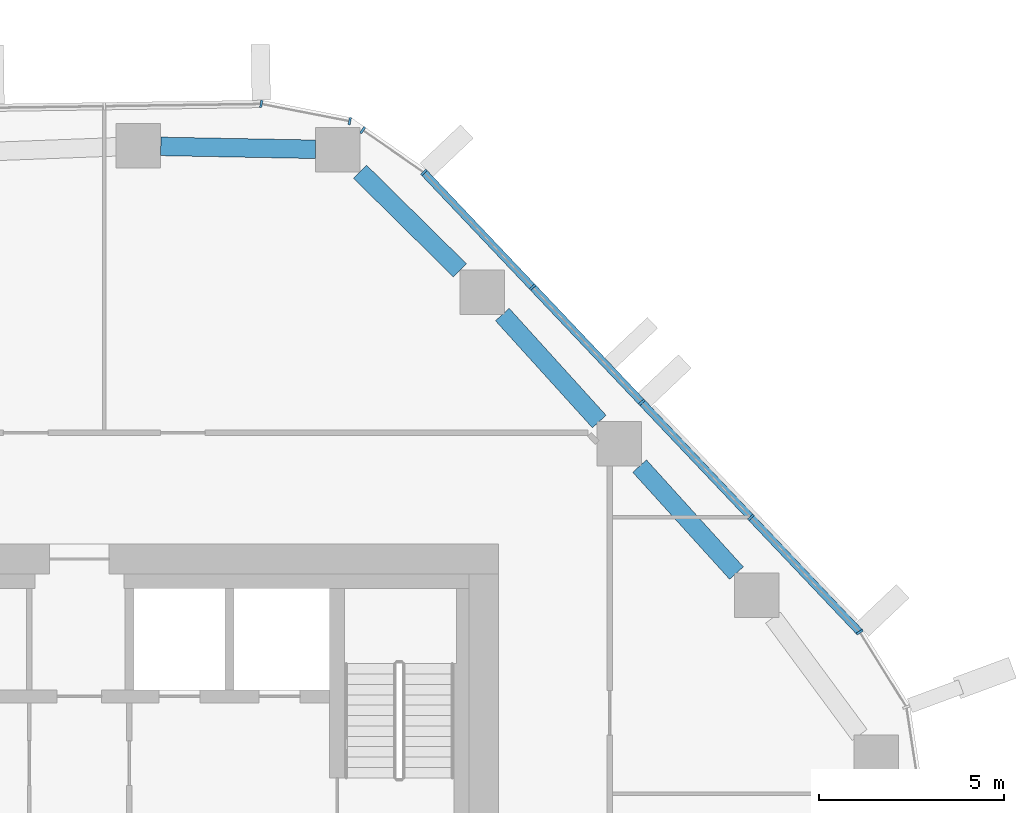
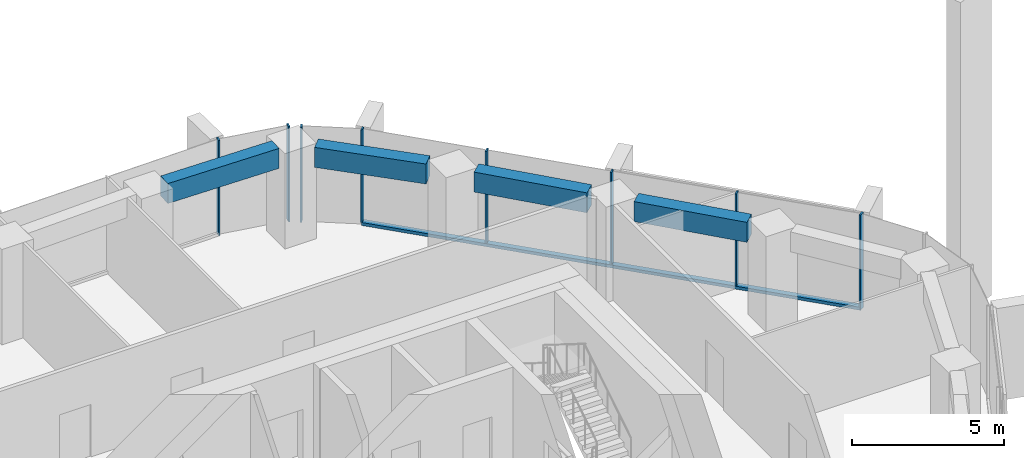
# One storey, part 7 of 18: 9 members, 4 beams, 4 elements without a shape of their own.
"""IFC4 building model written with IfcOpenShell, lengths in metres."""

from ifc_helpers import new_model, si_unit, direction, frame, origin, origin_2d, place, context, subcontext, project, spatial, rectangle, extrude, material, layer, layer_set, material_profile, profile_set, type_object, element, aggregate, save


model = new_model("IFC4")

# Units and contexts
model_context = context("Model", 3, precision=1e-05, world=origin(), true_north=direction((0.0, 1.0)))
body_context = subcontext(model_context, "Body", "Model", "MODEL_VIEW")
ifc_project = project(units=[si_unit("LENGTHUNIT", "METRE"), si_unit("AREAUNIT", "SQUARE_METRE"), si_unit("VOLUMEUNIT", "CUBIC_METRE"), si_unit("PLANEANGLEUNIT", "RADIAN"), si_unit("MASSUNIT", "GRAM", prefix="KILO")], contexts=[model_context])

# Site, building, storey
site_placement = place(None, origin())
site = spatial("IfcSite", under=ifc_project, at=site_placement, CompositionType="ELEMENT")
building_placement = place(site_placement, origin())
building = spatial("IfcBuilding", under=site, at=building_placement, Name="Dongbaek Canopy Tower", CompositionType="ELEMENT")
storey_placement = place(building_placement, frame((0.0, 0.0, 158.60009765625)))
storey = spatial("IfcBuildingStorey", under=building, at=storey_placement, Name="L34", CompositionType="ELEMENT", Elevation=158.60009765625)

# Curtain wall, member
ifc_material_1 = material(Name="Aluminium 6063-T6 pale anodised", Category="aluminium")
ifc_layer = layer(ifc_material_1, 0.199951171875)
ifc_layer_set = layer_set([ifc_layer], Name="CW-1 unitised tower curtain wall")
curtain_wall_type = type_object("IfcCurtainWallType", Name="CW-1 unitised tower curtain wall", PredefinedType="NOTDEFINED", material=ifc_layer_set)
curtain_wall_1_placement = place(storey_placement, origin())
curtain_wall_1 = element("IfcCurtainWall", 1, at=curtain_wall_1_placement, inside=storey, type_object=curtain_wall_type, Name="CW-1 curtain wall K0.1", PredefinedType="NOTDEFINED")
ifc_material_2 = material(Name="Aluminium 6063-T6 pale anodised", Category="aluminium")
ifc_material_profile_1 = material_profile(ifc_material_2, rectangle(XDim=0.199951171875, YDim=0.06005859375, at=origin_2d()), Name="CW-1 mullion 60 x 200")
ifc_profile_set_1 = profile_set([ifc_material_profile_1], Name="Aluminium 6063-T6 pale anodised")
member_type_1 = type_object("IfcMemberType", Name="CW-1 mullion 60 x 200", PredefinedType="MULLION", material=ifc_profile_set_1)
member_1_placement = place(storey_placement, frame((23.738037109375, 8.6298828125, 0.0), z_axis=(0.0, 0.0, 1.0), x_axis=(0.849036032046, 0.528334947063, 0.0)))
member_1 = element("IfcMember", 2, at=member_1_placement, type_object=member_type_1, Name="CW-1 mullion K0.1.4", PredefinedType="MULLION", context=body_context, shape_type="SweptSolid", body=[
    extrude(rectangle(XDim=0.199951171875, YDim=0.06005859375, at=origin_2d()), origin(), (0.0, 0.0, 1.0), 3.81982421875),
])
aggregate(curtain_wall_1, [member_1])

# Curtain wall, members
curtain_wall_2_placement = place(storey_placement, origin())
curtain_wall_2 = element("IfcCurtainWall", 3, at=curtain_wall_2_placement, inside=storey, type_object=curtain_wall_type, Name="CW-1 curtain wall F0.1", PredefinedType="NOTDEFINED")
member_2_placement = place(storey_placement, frame((20.803955078125, 11.724609375, 0.119873046875), z_axis=(0.0, 0.0, 1.0), x_axis=(0.725670208769, 0.688042693519, 0.0)))
member_2 = element("IfcMember", 4, at=member_2_placement, type_object=member_type_1, Name="CW-1 mullion F0.1.2", PredefinedType="MULLION", context=body_context, shape_type="SweptSolid", body=[
    extrude(rectangle(XDim=0.199951171875, YDim=0.06005859375, at=origin_2d()), origin(), (0.0, 0.0, 1.0), 3.699951171875),
])
member_3_placement = place(storey_placement, frame((17.86279296875, 14.826416015625, 0.119873046875), z_axis=(0.0, 0.0, 1.0), x_axis=(0.725670208769, 0.688042693519, 0.0)))
member_3 = element("IfcMember", 5, at=member_3_placement, type_object=member_type_1, Name="CW-1 mullion F0.1.3", PredefinedType="MULLION", context=body_context, shape_type="SweptSolid", body=[
    extrude(rectangle(XDim=0.199951171875, YDim=0.06005859375, at=origin_2d()), origin(), (0.0, 0.0, 1.0), 3.699951171875),
])
member_4_placement = place(storey_placement, frame((14.921875, 17.92822265625, 0.119873046875), z_axis=(0.0, 0.0, 1.0), x_axis=(0.725670208769, 0.688042693519, 0.0)))
member_4 = element("IfcMember", 6, at=member_4_placement, type_object=member_type_1, Name="CW-1 mullion F0.1.4", PredefinedType="MULLION", context=body_context, shape_type="SweptSolid", body=[
    extrude(rectangle(XDim=0.199951171875, YDim=0.06005859375, at=origin_2d()), origin(), (0.0, 0.0, 1.0), 3.699951171875),
])
member_5_placement = place(storey_placement, frame((11.988037109375, 21.022705078125, 0.119873046875), z_axis=(0.0, 0.0, 1.0), x_axis=(0.725670208769, 0.688042693519, 0.0)))
member_5 = element("IfcMember", 7, at=member_5_placement, type_object=member_type_1, Name="CW-1 mullion F0.1.5", PredefinedType="MULLION", context=body_context, shape_type="SweptSolid", body=[
    extrude(rectangle(XDim=0.199951171875, YDim=0.06005859375, at=origin_2d()), origin(), (0.0, 0.0, 1.0), 3.699951171875),
])

# Curtain wall, member
curtain_wall_3_placement = place(storey_placement, origin())
curtain_wall_3 = element("IfcCurtainWall", 8, at=curtain_wall_3_placement, inside=storey, type_object=curtain_wall_type, Name="CW-1 curtain wall K1.1a", PredefinedType="NOTDEFINED")
member_6_placement = place(storey_placement, frame((10.340087890625, 22.163330078125, 0.0), z_axis=(0.0, 0.0, 1.0), x_axis=(0.569121067059, 0.822253738836, 0.0)))
member_6 = element("IfcMember", 9, at=member_6_placement, type_object=member_type_1, Name="CW-1 mullion K1.1a.2", PredefinedType="MULLION", context=body_context, shape_type="SweptSolid", body=[
    extrude(rectangle(XDim=0.199951171875, YDim=0.06005859375, at=origin_2d()), origin(), (0.0, 0.0, 1.0), 3.81982421875),
])
aggregate(curtain_wall_3, [member_6])

# Curtain wall, members
curtain_wall_4_placement = place(storey_placement, origin())
curtain_wall_4 = element("IfcCurtainWall", 10, at=curtain_wall_4_placement, inside=storey, type_object=curtain_wall_type, Name="CW-1 curtain wall K1.1b", PredefinedType="NOTDEFINED")
member_7_placement = place(storey_placement, frame((9.989990234375, 22.405517578125, 0.0), z_axis=(0.0, 0.0, 1.0), x_axis=(0.1911107542, 0.981568479338, 0.0)))
member_7 = element("IfcMember", 11, at=member_7_placement, type_object=member_type_1, Name="CW-1 mullion K1.1b.1", PredefinedType="MULLION", context=body_context, shape_type="SweptSolid", body=[
    extrude(rectangle(XDim=0.199951171875, YDim=0.06005859375, at=origin_2d()), origin(), (0.0, 0.0, 1.0), 3.81982421875),
])
member_8_placement = place(storey_placement, frame((7.604736328125, 22.869873046875, 0.0), z_axis=(0.0, 0.0, 1.0), x_axis=(0.1911107542, 0.981568479338, 0.0)))
member_8 = element("IfcMember", 12, at=member_8_placement, type_object=member_type_1, Name="CW-1 mullion K1.1b.2", PredefinedType="MULLION", context=body_context, shape_type="SweptSolid", body=[
    extrude(rectangle(XDim=0.199951171875, YDim=0.06005859375, at=origin_2d()), origin(), (0.0, 0.0, 1.0), 3.81982421875),
])
aggregate(curtain_wall_4, [member_7, member_8])

# Member
ifc_material_3 = material(Name="Aluminium 6063-T6 pale anodised", Category="aluminium")
ifc_material_profile_2 = material_profile(ifc_material_3, rectangle(XDim=0.199951171875, YDim=0.1201171875, at=origin_2d()), Name="CW-1 transom 120 x 200")
ifc_profile_set_2 = profile_set([ifc_material_profile_2], Name="Aluminium 6063-T6 pale anodised")
member_type_2 = type_object("IfcMemberType", Name="CW-1 transom 120 x 200", PredefinedType="USERDEFINED", material=ifc_profile_set_2)
member_9_placement = place(storey_placement, frame((23.738037109375, 8.6298828125, 0.059814453125), z_axis=(-0.688035645726, 0.725676891055, 0.0), x_axis=(-0.725676891055, -0.688035645726, 0.0)))
member_9 = element("IfcMember", 13, at=member_9_placement, type_object=member_type_2, Name="CW-1 transom F0.1.1", ObjectType="TRANSOM", PredefinedType="USERDEFINED", context=body_context, shape_type="SweptSolid", body=[
    extrude(rectangle(XDim=0.199951171875, YDim=0.1201171875, at=origin_2d()), origin(), (0.0, 0.0, 1.0), 17.07763671875),
])

aggregate(curtain_wall_2, [member_2, member_3, member_4, member_5, member_9])

# Beams
ifc_material_4 = material(Name="Concrete C70", Category="concrete")
ifc_material_profile_3 = material_profile(ifc_material_4, rectangle(XDim=0.5, YDim=0.800048828125, at=origin_2d()), Name="RC EDGE BEAM 500x800 C70")
ifc_profile_set_3 = profile_set([ifc_material_profile_3], Name="Concrete C70")
beam_type = type_object("IfcBeamType", Name="RC EDGE BEAM 500x800 C70", PredefinedType="BEAM", material=ifc_profile_set_3)
beam_1_placement = place(storey_placement, frame((4.89501953125, 21.724609375, 3.419921875), z_axis=(0.999823523871, -0.018786194753, 0.0), x_axis=(0.018786194753, 0.999823523871, 0.0)))
element("IfcBeam", 14, at=beam_1_placement, inside=storey, type_object=beam_type, Name="EDGEBEAM:L34:16", PredefinedType="BEAM", context=body_context, shape_type="SweptSolid", body=[
    extrude(rectangle(XDim=0.5, YDim=0.800048828125, at=origin_2d()), origin(), (0.0, 0.0, 1.0), 4.171630859375),
])
beam_2_placement = place(storey_placement, frame((10.26611328125, 21.04296875, 3.419921875), z_axis=(0.711703560094, -0.702479923236, 0.0), x_axis=(0.702479923236, 0.711703560094, 0.0)))
element("IfcBeam", 15, at=beam_2_placement, inside=storey, type_object=beam_type, Name="EDGEBEAM:L34:17", PredefinedType="BEAM", context=body_context, shape_type="SweptSolid", body=[
    extrude(rectangle(XDim=0.5, YDim=0.800048828125, at=origin_2d()), origin(), (0.0, 0.0, 1.0), 3.78515625),
])
beam_3_placement = place(storey_placement, frame((14.103515625, 17.19189453125, 3.419921875), z_axis=(0.67132037677, -0.741167289978, 0.0), x_axis=(0.741167289978, 0.67132037677, 0.0)))
element("IfcBeam", 16, at=beam_3_placement, inside=storey, type_object=beam_type, Name="EDGEBEAM:L34:18", PredefinedType="BEAM", context=body_context, shape_type="SweptSolid", body=[
    extrude(rectangle(XDim=0.5, YDim=0.800048828125, at=origin_2d()), origin(), (0.0, 0.0, 1.0), 3.893798828125),
])
beam_4_placement = place(storey_placement, frame((17.80419921875, 13.10595703125, 3.419921875), z_axis=(0.671238468475, -0.741241471074, 0.0), x_axis=(0.741241471074, 0.671238468475, 0.0)))
element("IfcBeam", 17, at=beam_4_placement, inside=storey, type_object=beam_type, Name="EDGEBEAM:L34:19", PredefinedType="BEAM", context=body_context, shape_type="SweptSolid", body=[
    extrude(rectangle(XDim=0.5, YDim=0.800048828125, at=origin_2d()), origin(), (0.0, 0.0, 1.0), 3.89208984375),
])

save(model, "model.ifc")
